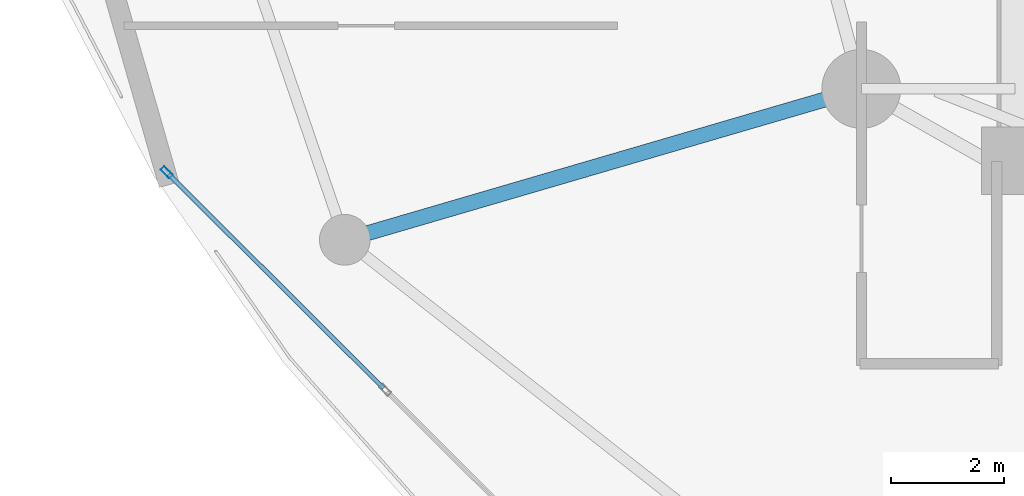
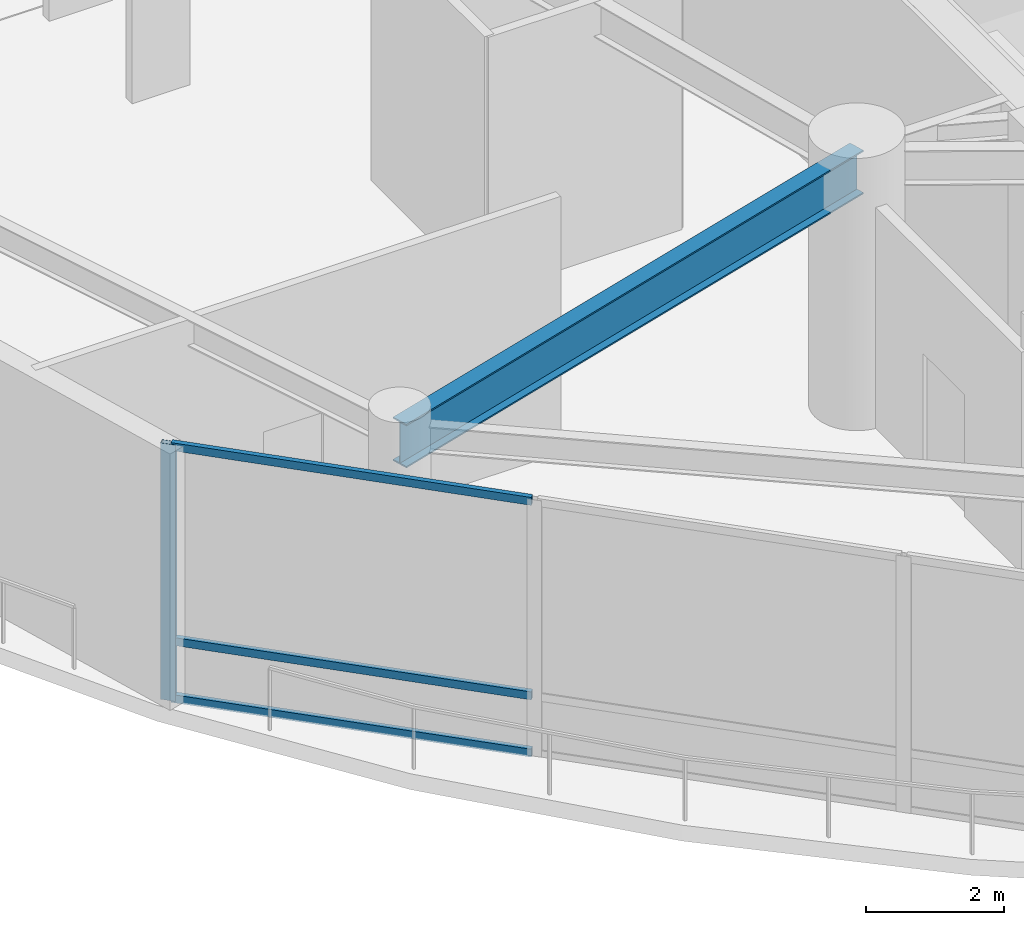
# One storey, part 4 of 36: 4 members, 1 beam, 1 element without a shape of its own.
"""IFC4 building model written with IfcOpenShell, lengths in metres."""

from ifc_helpers import new_model, si_unit, direction, frame, origin, origin_2d, place, context, subcontext, project, spatial, hollow_rectangle, i_section, extrude, material, layer, layer_set, material_profile, profile_set, type_object, element, aggregate, save


model = new_model("IFC4")

# Units and contexts
model_context = context("Model", 3, precision=1e-05, world=origin(), true_north=direction((0.0, 1.0)))
body_context = subcontext(model_context, "Body", "Model", "MODEL_VIEW")
ifc_project = project(units=[si_unit("LENGTHUNIT", "METRE"), si_unit("AREAUNIT", "SQUARE_METRE"), si_unit("VOLUMEUNIT", "CUBIC_METRE"), si_unit("PLANEANGLEUNIT", "RADIAN"), si_unit("MASSUNIT", "GRAM", prefix="KILO")], contexts=[model_context])

# Site, building, storey
site_placement = place(None, origin())
site = spatial("IfcSite", under=ifc_project, at=site_placement, CompositionType="ELEMENT")
building_placement = place(site_placement, origin())
building = spatial("IfcBuilding", under=site, at=building_placement, Name="Kazevale Care Tower and Concert Hall", CompositionType="ELEMENT")
storey_placement = place(building_placement, frame((0.0, 0.0, 14.39990234375)))
storey = spatial("IfcBuildingStorey", under=building, at=storey_placement, Name="L03", CompositionType="ELEMENT", Elevation=14.39990234375)

# Curtain wall, members
ifc_material_1 = material(Name="Aluminium 6063-T6 and Low-E Glass", Category="aluminium")
ifc_layer = layer(ifc_material_1, 0.179931640625)
ifc_layer_set = layer_set([ifc_layer], Name="Aluminium 6063-T6 and Low-E Glass")
curtain_wall_type = type_object("IfcCurtainWallType", Name="Podium Double-Skin Medical Curtain Wall CW-1", PredefinedType="NOTDEFINED", material=ifc_layer_set)
curtain_wall_placement = place(storey_placement, origin())
curtain_wall = element("IfcCurtainWall", 1, at=curtain_wall_placement, inside=storey, type_object=curtain_wall_type, Name="cw:L03:pod:09", PredefinedType="NOTDEFINED")
ifc_material_2 = material(Name="Aluminium 6063-T6", Category="aluminium")
ifc_material_profile_1 = material_profile(ifc_material_2, hollow_rectangle(XDim=0.090087890625, YDim=0.219970703125, WallThickness=0.0048828125, at=origin_2d()), Name="ALU90x220x5")
ifc_profile_set_1 = profile_set([ifc_material_profile_1], Name="Aluminium 6063-T6")
member_type_1 = type_object("IfcMemberType", Name="CW-1 Mullion ALU90x220x5", PredefinedType="MULLION", material=ifc_profile_set_1)
member_1_placement = place(storey_placement, frame((6.93896484375, 23.398193359375, 0.0), z_axis=(0.0, 0.0, 1.0), x_axis=(0.705655814257, 0.708554776856, 0.0)))
member_1 = element("IfcMember", 2, at=member_1_placement, type_object=member_type_1, Name="CW-1 mullion 1", PredefinedType="MULLION", context=body_context, shape_type="SweptSolid", body=[
    extrude(hollow_rectangle(XDim=0.090087890625, YDim=0.219970703125, WallThickness=0.0048828125, at=origin_2d()), origin(), (0.0, 0.0, 1.0), 4.52001953125),
])
ifc_material_profile_2 = material_profile(ifc_material_2, hollow_rectangle(XDim=0.080078125, YDim=0.139892578125, WallThickness=0.00390625, at=origin_2d()), Name="ALU80x140x4")
ifc_profile_set_2 = profile_set([ifc_material_profile_2], Name="Aluminium 6063-T6")
member_type_2 = type_object("IfcMemberType", Name="CW-1 Transom ALU80x140x4", PredefinedType="USERDEFINED", material=ifc_profile_set_2)
member_2_placement = place(storey_placement, frame((6.970703125, 23.366455078125, 0.0400390625), z_axis=(0.708578901075, -0.705631590103, 0.0), x_axis=(0.705631590103, 0.708578901075, 0.0)))
member_2 = element("IfcMember", 3, at=member_2_placement, type_object=member_type_2, Name="CW-1 transom 1.1", ObjectType="TRANSOM", PredefinedType="USERDEFINED", context=body_context, shape_type="SweptSolid", body=[
    extrude(hollow_rectangle(XDim=0.080078125, YDim=0.139892578125, WallThickness=0.00390625, at=origin_2d()), origin(), (0.0, 0.0, 1.0), 5.38427734375),
])
member_3_placement = place(storey_placement, frame((6.970703125, 23.366455078125, 1.050048828125), z_axis=(0.708578901075, -0.705631590103, 0.0), x_axis=(0.705631590103, 0.708578901075, 0.0)))
member_3 = element("IfcMember", 4, at=member_3_placement, type_object=member_type_2, Name="CW-1 transom 1.2", ObjectType="TRANSOM", PredefinedType="USERDEFINED", context=body_context, shape_type="SweptSolid", body=[
    extrude(hollow_rectangle(XDim=0.080078125, YDim=0.139892578125, WallThickness=0.00390625, at=origin_2d()), origin(), (0.0, 0.0, 1.0), 5.38427734375),
])
member_4_placement = place(storey_placement, frame((6.970703125, 23.366455078125, 4.47998046875), z_axis=(0.708578901075, -0.705631590103, 0.0), x_axis=(0.705631590103, 0.708578901075, 0.0)))
member_4 = element("IfcMember", 5, at=member_4_placement, type_object=member_type_2, Name="CW-1 transom 1.3", ObjectType="TRANSOM", PredefinedType="USERDEFINED", context=body_context, shape_type="SweptSolid", body=[
    extrude(hollow_rectangle(XDim=0.080078125, YDim=0.139892578125, WallThickness=0.00390625, at=origin_2d()), origin(), (0.0, 0.0, 1.0), 5.38427734375),
])
aggregate(curtain_wall, [member_1, member_2, member_3, member_4])

# Beam
ifc_material_3 = material(Name="Steel ASTM A572 Gr 50", Category="steel")
ifc_material_profile_3 = material_profile(ifc_material_3, i_section(OverallWidth=0.26806640625, OverallDepth=0.77001953125, WebThickness=0.015625, FlangeThickness=0.025390625, at=origin_2d()), Name="W760x196")
ifc_profile_set_3 = profile_set([ifc_material_profile_3], Name="Steel ASTM A572 Gr 50")
beam_type = type_object("IfcBeamType", Name="Podium Primary Girder W760x196", PredefinedType="BEAM", material=ifc_profile_set_3)
beam_placement = place(storey_placement, frame((19.27001953125, 24.8798828125, 4.135009765625), z_axis=(-0.959848737665, -0.28051809354, 0.0), x_axis=(0.28051809354, -0.959848737665, 0.0)))
element("IfcBeam", 6, at=beam_placement, inside=storey, type_object=beam_type, Name="beam:L03:podrad:08", PredefinedType="BEAM", context=body_context, shape_type="SweptSolid", body=[
    extrude(i_section(OverallWidth=0.26806640625, OverallDepth=0.77001953125, WebThickness=0.015625, FlangeThickness=0.025390625, at=origin_2d()), origin(), (0.0, 0.0, 1.0), 9.553466796875),
])

save(model, "model.ifc")
